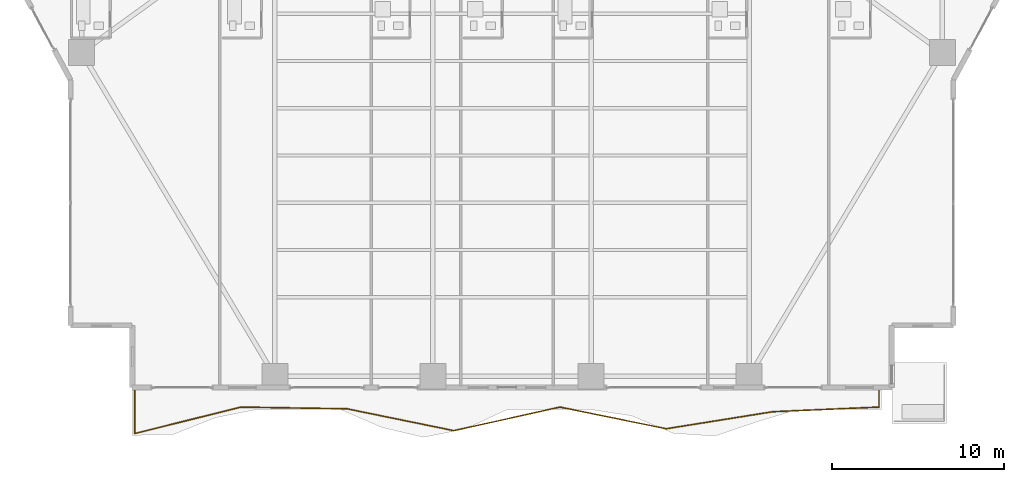
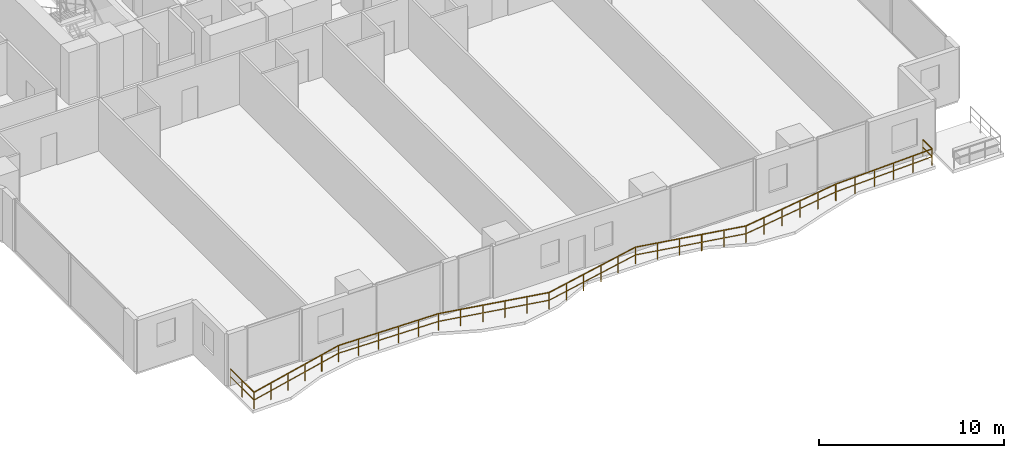
# One storey, part 23 of 29: 1 railing.
"""IFC4 building model written with IfcOpenShell, lengths in metres."""

from ifc_helpers import new_model, si_unit, direction, frame, origin, origin_2d, place, context, subcontext, project, spatial, rectangle, extrude, material, type_object, element, save


model = new_model("IFC4")

# Units and contexts
model_context = context("Model", 3, precision=1e-05, world=origin(), true_north=direction((0.0, 1.0)))
body_context = subcontext(model_context, "Body", "Model", "MODEL_VIEW")
ifc_project = project(units=[si_unit("LENGTHUNIT", "METRE"), si_unit("AREAUNIT", "SQUARE_METRE"), si_unit("VOLUMEUNIT", "CUBIC_METRE"), si_unit("PLANEANGLEUNIT", "RADIAN"), si_unit("MASSUNIT", "GRAM", prefix="KILO")], contexts=[model_context])

# Site, building, storey
site_placement = place(None, origin())
site = spatial("IfcSite", under=ifc_project, at=site_placement, CompositionType="ELEMENT")
building_placement = place(site_placement, origin())
building = spatial("IfcBuilding", under=site, at=building_placement, Name="Zuhayl Quay Hotel", CompositionType="ELEMENT")
storey_placement = place(building_placement, frame((0.0, 0.0, 38.550048828125)))
storey = spatial("IfcBuildingStorey", under=building, at=storey_placement, Name="L08", CompositionType="ELEMENT", Elevation=38.550048828125)

# Railing
ifc_material = material(Name="Anodised Aluminium and Laminated Glass", Category="aluminium")
railing_type = type_object("IfcRailingType", Name="RL_EXT_BAL_1100", PredefinedType="BALUSTRADE", material=ifc_material)
railing_placement = place(storey_placement, frame((-21.9599609375, -23.219970703125, 0.0)))
element("IfcRailing", 1, at=railing_placement, inside=storey, type_object=railing_type, Name="L08 Balcony and Terrace Guard GR_L08_BAL_S", PredefinedType="BALUSTRADE", context=body_context, shape_type="SweptSolid", body=[
    extrude(rectangle(XDim=0.048095703125, YDim=0.048095703125, at=origin_2d()), frame((0.0, 0.0, 1.09619140625), z_axis=(0.0, -1.0, 0.0), x_axis=(1.0, 0.0, 0.0)), (0.0, 0.0, 1.0), 2.55810546875),
    extrude(rectangle(XDim=0.0361328125, YDim=0.0361328125, at=origin_2d()), frame((0.0, 0.0, 0.58251953125), z_axis=(0.0, -1.0, 0.0), x_axis=(1.0, 0.0, 0.0)), (0.0, 0.0, 1.0), 2.55810546875),
    extrude(rectangle(XDim=0.048095703125, YDim=0.048095703125, at=origin_2d()), frame((0.0, -2.55810546875, 1.09619140625), z_axis=(0.970474897888, 0.241202140472, 0.0), x_axis=(-0.241202140472, 0.970474897888, 0.0)), (0.0, 0.0, 1.0), 6.376708984375),
    extrude(rectangle(XDim=0.0361328125, YDim=0.0361328125, at=origin_2d()), frame((0.0, -2.55810546875, 0.58251953125), z_axis=(0.970474897888, 0.241202140472, 0.0), x_axis=(-0.241202140472, 0.970474897888, 0.0)), (0.0, 0.0, 1.0), 6.376708984375),
    extrude(rectangle(XDim=0.048095703125, YDim=0.048095703125, at=origin_2d()), frame((6.1884765625, -1.02001953125, 1.09619140625), z_axis=(0.999863409132, -0.016527645906, 0.0), x_axis=(0.016527645906, 0.999863409132, 0.0)), (0.0, 0.0, 1.0), 6.189208984375),
    extrude(rectangle(XDim=0.0361328125, YDim=0.0361328125, at=origin_2d()), frame((6.1884765625, -1.02001953125, 0.58251953125), z_axis=(0.999863409132, -0.016527645906, 0.0), x_axis=(0.016527645906, 0.999863409132, 0.0)), (0.0, 0.0, 1.0), 6.189208984375),
    extrude(rectangle(XDim=0.048095703125, YDim=0.048095703125, at=origin_2d()), frame((12.376953125, -1.122314453125, 1.09619140625), z_axis=(0.979661957307, -0.200655050785, 0.0), x_axis=(0.200655050785, 0.979661957307, 0.0)), (0.0, 0.0, 1.0), 6.317138671875),
    extrude(rectangle(XDim=0.0361328125, YDim=0.0361328125, at=origin_2d()), frame((12.376953125, -1.122314453125, 0.58251953125), z_axis=(0.979661957307, -0.200655050785, 0.0), x_axis=(0.200655050785, 0.979661957307, 0.0)), (0.0, 0.0, 1.0), 6.317138671875),
    extrude(rectangle(XDim=0.048095703125, YDim=0.048095703125, at=origin_2d()), frame((18.565673828125, -2.389892578125, 1.09619140625), z_axis=(0.976365273817, 0.216126935119, 0.0), x_axis=(-0.216126935119, 0.976365273817, 0.0)), (0.0, 0.0, 1.0), 6.33837890625),
    extrude(rectangle(XDim=0.0361328125, YDim=0.0361328125, at=origin_2d()), frame((18.565673828125, -2.389892578125, 0.58251953125), z_axis=(0.976365273817, 0.216126935119, 0.0), x_axis=(-0.216126935119, 0.976365273817, 0.0)), (0.0, 0.0, 1.0), 6.33837890625),
    extrude(rectangle(XDim=0.048095703125, YDim=0.048095703125, at=origin_2d()), frame((24.754150390625, -1.02001953125, 1.09619140625), z_axis=(0.979911957036, -0.199430580549, 0.0), x_axis=(0.199430580549, 0.979911957036, 0.0)), (0.0, 0.0, 1.0), 6.315673828125),
    extrude(rectangle(XDim=0.0361328125, YDim=0.0361328125, at=origin_2d()), frame((24.754150390625, -1.02001953125, 0.58251953125), z_axis=(0.979911957036, -0.199430580549, 0.0), x_axis=(0.199430580549, 0.979911957036, 0.0)), (0.0, 0.0, 1.0), 6.315673828125),
    extrude(rectangle(XDim=0.048095703125, YDim=0.048095703125, at=origin_2d()), frame((30.94287109375, -2.279541015625, 1.09619140625), z_axis=(0.987444764147, 0.157964672503, 0.0), x_axis=(-0.157964672503, 0.987444764147, 0.0)), (0.0, 0.0, 1.0), 6.26708984375),
    extrude(rectangle(XDim=0.0361328125, YDim=0.0361328125, at=origin_2d()), frame((30.94287109375, -2.279541015625, 0.58251953125), z_axis=(0.987444764147, 0.157964672503, 0.0), x_axis=(-0.157964672503, 0.987444764147, 0.0)), (0.0, 0.0, 1.0), 6.26708984375),
    extrude(rectangle(XDim=0.048095703125, YDim=0.048095703125, at=origin_2d()), frame((37.13134765625, -1.28955078125, 1.09619140625), z_axis=(0.999052958077, 0.043510768303, 0.0), x_axis=(-0.043510768303, 0.999052958077, 0.0)), (0.0, 0.0, 1.0), 6.194580078125),
    extrude(rectangle(XDim=0.0361328125, YDim=0.0361328125, at=origin_2d()), frame((37.13134765625, -1.28955078125, 0.58251953125), z_axis=(0.999052958077, 0.043510768303, 0.0), x_axis=(-0.043510768303, 0.999052958077, 0.0)), (0.0, 0.0, 1.0), 6.194580078125),
    extrude(rectangle(XDim=0.048095703125, YDim=0.048095703125, at=origin_2d()), frame((43.320068359375, -1.02001953125, 1.09619140625), z_axis=(0.0, 1.0, 0.0), x_axis=(-1.0, 0.0, 0.0)), (0.0, 0.0, 1.0), 1.02001953125),
    extrude(rectangle(XDim=0.0361328125, YDim=0.0361328125, at=origin_2d()), frame((43.320068359375, -1.02001953125, 0.58251953125), z_axis=(0.0, 1.0, 0.0), x_axis=(-1.0, 0.0, 0.0)), (0.0, 0.0, 1.0), 1.02001953125),
    extrude(rectangle(XDim=0.0419921875, YDim=0.0419921875, at=origin_2d()), origin(), (0.0, 0.0, 1.0), 1.072021484375),
    extrude(rectangle(XDim=0.0419921875, YDim=0.0419921875, at=origin_2d()), frame((0.0, -1.279052734375, 0.0)), (0.0, 0.0, 1.0), 1.072021484375),
    extrude(rectangle(XDim=0.0419921875, YDim=0.0419921875, at=origin_2d()), frame((0.0, -2.55810546875, 0.0)), (0.0, 0.0, 1.0), 1.072021484375),
    extrude(rectangle(XDim=0.0419921875, YDim=0.0419921875, at=origin_2d()), frame((1.23779296875, -2.25048828125, 0.0)), (0.0, 0.0, 1.0), 1.072021484375),
    extrude(rectangle(XDim=0.0419921875, YDim=0.0419921875, at=origin_2d()), frame((2.475341796875, -1.94287109375, 0.0)), (0.0, 0.0, 1.0), 1.072021484375),
    extrude(rectangle(XDim=0.0419921875, YDim=0.0419921875, at=origin_2d()), frame((3.713134765625, -1.63525390625, 0.0)), (0.0, 0.0, 1.0), 1.072021484375),
    extrude(rectangle(XDim=0.0419921875, YDim=0.0419921875, at=origin_2d()), frame((4.95068359375, -1.32763671875, 0.0)), (0.0, 0.0, 1.0), 1.072021484375),
    extrude(rectangle(XDim=0.0419921875, YDim=0.0419921875, at=origin_2d()), frame((6.1884765625, -1.02001953125, 0.0)), (0.0, 0.0, 1.0), 1.072021484375),
    extrude(rectangle(XDim=0.0419921875, YDim=0.0419921875, at=origin_2d()), frame((7.42626953125, -1.04052734375, 0.0)), (0.0, 0.0, 1.0), 1.072021484375),
    extrude(rectangle(XDim=0.0419921875, YDim=0.0419921875, at=origin_2d()), frame((8.663818359375, -1.06103515625, 0.0)), (0.0, 0.0, 1.0), 1.072021484375),
    extrude(rectangle(XDim=0.0419921875, YDim=0.0419921875, at=origin_2d()), frame((9.901611328125, -1.081298828125, 0.0)), (0.0, 0.0, 1.0), 1.072021484375),
    extrude(rectangle(XDim=0.0419921875, YDim=0.0419921875, at=origin_2d()), frame((11.13916015625, -1.101806640625, 0.0)), (0.0, 0.0, 1.0), 1.072021484375),
    extrude(rectangle(XDim=0.0419921875, YDim=0.0419921875, at=origin_2d()), frame((12.376953125, -1.122314453125, 0.0)), (0.0, 0.0, 1.0), 1.072021484375),
    extrude(rectangle(XDim=0.0419921875, YDim=0.0419921875, at=origin_2d()), frame((13.61474609375, -1.375732421875, 0.0)), (0.0, 0.0, 1.0), 1.072021484375),
    extrude(rectangle(XDim=0.0419921875, YDim=0.0419921875, at=origin_2d()), frame((14.8525390625, -1.62939453125, 0.0)), (0.0, 0.0, 1.0), 1.072021484375),
    extrude(rectangle(XDim=0.0419921875, YDim=0.0419921875, at=origin_2d()), frame((16.090087890625, -1.8828125, 0.0)), (0.0, 0.0, 1.0), 1.072021484375),
    extrude(rectangle(XDim=0.0419921875, YDim=0.0419921875, at=origin_2d()), frame((17.327880859375, -2.136474609375, 0.0)), (0.0, 0.0, 1.0), 1.072021484375),
    extrude(rectangle(XDim=0.0419921875, YDim=0.0419921875, at=origin_2d()), frame((18.565673828125, -2.389892578125, 0.0)), (0.0, 0.0, 1.0), 1.072021484375),
    extrude(rectangle(XDim=0.0419921875, YDim=0.0419921875, at=origin_2d()), frame((19.803466796875, -2.115966796875, 0.0)), (0.0, 0.0, 1.0), 1.072021484375),
    extrude(rectangle(XDim=0.0419921875, YDim=0.0419921875, at=origin_2d()), frame((21.041015625, -1.842041015625, 0.0)), (0.0, 0.0, 1.0), 1.072021484375),
    extrude(rectangle(XDim=0.0419921875, YDim=0.0419921875, at=origin_2d()), frame((22.27880859375, -1.56787109375, 0.0)), (0.0, 0.0, 1.0), 1.072021484375),
    extrude(rectangle(XDim=0.0419921875, YDim=0.0419921875, at=origin_2d()), frame((23.516357421875, -1.2939453125, 0.0)), (0.0, 0.0, 1.0), 1.072021484375),
    extrude(rectangle(XDim=0.0419921875, YDim=0.0419921875, at=origin_2d()), frame((24.754150390625, -1.02001953125, 0.0)), (0.0, 0.0, 1.0), 1.072021484375),
    extrude(rectangle(XDim=0.0419921875, YDim=0.0419921875, at=origin_2d()), frame((25.991943359375, -1.27197265625, 0.0)), (0.0, 0.0, 1.0), 1.072021484375),
    extrude(rectangle(XDim=0.0419921875, YDim=0.0419921875, at=origin_2d()), frame((27.229736328125, -1.52392578125, 0.0)), (0.0, 0.0, 1.0), 1.072021484375),
    extrude(rectangle(XDim=0.0419921875, YDim=0.0419921875, at=origin_2d()), frame((28.46728515625, -1.775634765625, 0.0)), (0.0, 0.0, 1.0), 1.072021484375),
    extrude(rectangle(XDim=0.0419921875, YDim=0.0419921875, at=origin_2d()), frame((29.705078125, -2.027587890625, 0.0)), (0.0, 0.0, 1.0), 1.072021484375),
    extrude(rectangle(XDim=0.0419921875, YDim=0.0419921875, at=origin_2d()), frame((30.94287109375, -2.279541015625, 0.0)), (0.0, 0.0, 1.0), 1.072021484375),
    extrude(rectangle(XDim=0.0419921875, YDim=0.0419921875, at=origin_2d()), frame((32.1806640625, -2.08154296875, 0.0)), (0.0, 0.0, 1.0), 1.072021484375),
    extrude(rectangle(XDim=0.0419921875, YDim=0.0419921875, at=origin_2d()), frame((33.418212890625, -1.883544921875, 0.0)), (0.0, 0.0, 1.0), 1.072021484375),
    extrude(rectangle(XDim=0.0419921875, YDim=0.0419921875, at=origin_2d()), frame((34.656005859375, -1.685546875, 0.0)), (0.0, 0.0, 1.0), 1.072021484375),
    extrude(rectangle(XDim=0.0419921875, YDim=0.0419921875, at=origin_2d()), frame((35.8935546875, -1.487548828125, 0.0)), (0.0, 0.0, 1.0), 1.072021484375),
    extrude(rectangle(XDim=0.0419921875, YDim=0.0419921875, at=origin_2d()), frame((37.13134765625, -1.28955078125, 0.0)), (0.0, 0.0, 1.0), 1.072021484375),
    extrude(rectangle(XDim=0.0419921875, YDim=0.0419921875, at=origin_2d()), frame((38.369140625, -1.235595703125, 0.0)), (0.0, 0.0, 1.0), 1.072021484375),
    extrude(rectangle(XDim=0.0419921875, YDim=0.0419921875, at=origin_2d()), frame((39.60693359375, -1.181640625, 0.0)), (0.0, 0.0, 1.0), 1.072021484375),
    extrude(rectangle(XDim=0.0419921875, YDim=0.0419921875, at=origin_2d()), frame((40.844482421875, -1.1279296875, 0.0)), (0.0, 0.0, 1.0), 1.072021484375),
    extrude(rectangle(XDim=0.0419921875, YDim=0.0419921875, at=origin_2d()), frame((42.082275390625, -1.073974609375, 0.0)), (0.0, 0.0, 1.0), 1.072021484375),
    extrude(rectangle(XDim=0.0419921875, YDim=0.0419921875, at=origin_2d()), frame((43.320068359375, -1.02001953125, 0.0)), (0.0, 0.0, 1.0), 1.072021484375),
    extrude(rectangle(XDim=0.0419921875, YDim=0.0419921875, at=origin_2d()), frame((43.320068359375, 0.0, 0.0)), (0.0, 0.0, 1.0), 1.072021484375),
])

save(model, "model.ifc")
